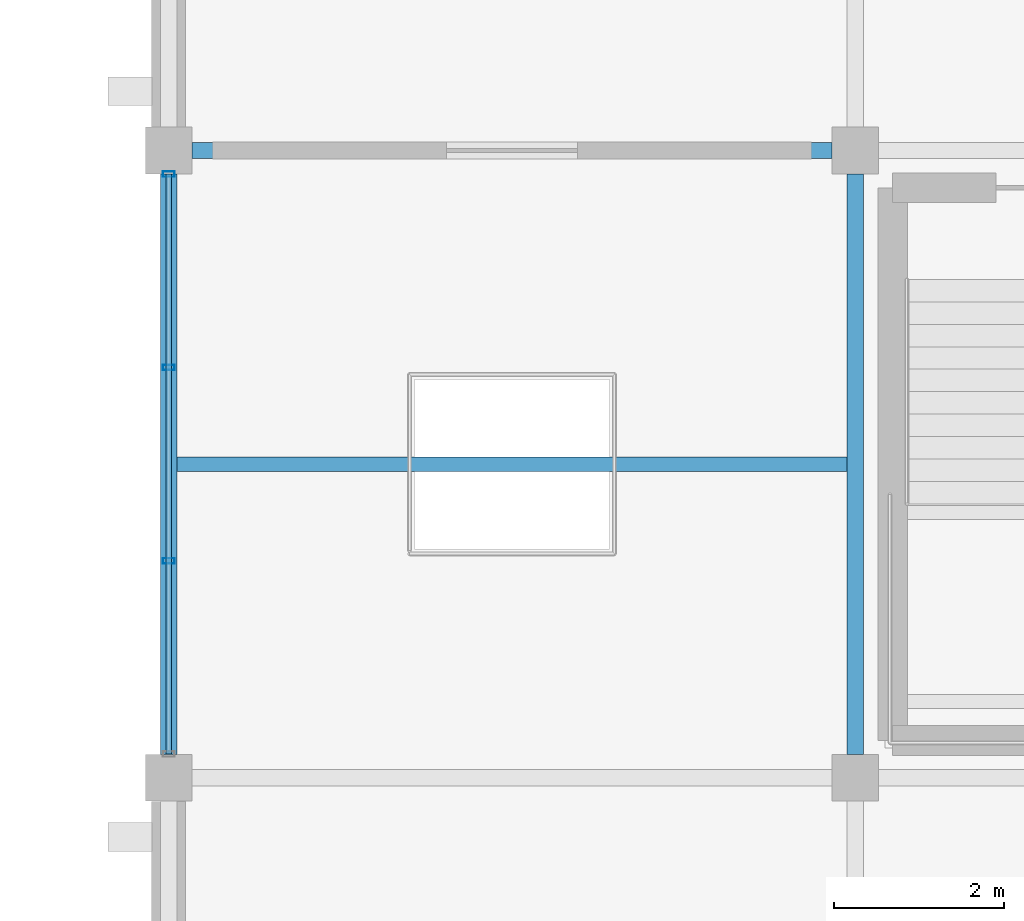
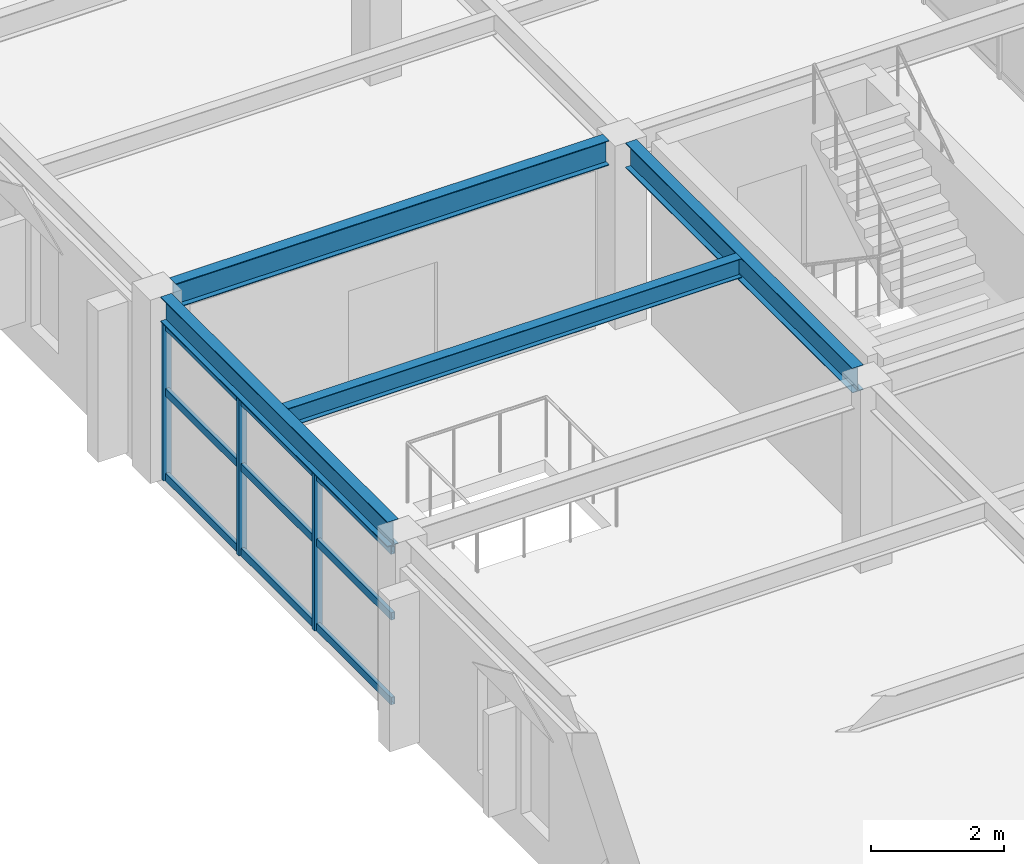
# One storey, part 19 of 93: 6 members, 4 beams, 1 element without a shape of its own.
"""IFC4 building model written with IfcOpenShell, lengths in metres."""

from ifc_helpers import new_model, si_unit, direction, frame, origin, origin_2d, place, context, subcontext, project, spatial, hollow_rectangle, i_section, extrude, material, material_profile, profile_set, type_object, element, aggregate, save


model = new_model("IFC4")

# Units and contexts
model_context = context("Model", 3, precision=1e-05, world=origin(), true_north=direction((0.0, 1.0)))
body_context = subcontext(model_context, "Body", "Model", "MODEL_VIEW")
ifc_project = project(units=[si_unit("LENGTHUNIT", "METRE"), si_unit("AREAUNIT", "SQUARE_METRE"), si_unit("VOLUMEUNIT", "CUBIC_METRE"), si_unit("PLANEANGLEUNIT", "RADIAN"), si_unit("MASSUNIT", "GRAM", prefix="KILO")], contexts=[model_context])

# Site, building, storey
site_placement = place(None, origin())
site = spatial("IfcSite", under=ifc_project, at=site_placement, CompositionType="ELEMENT")
building_placement = place(site_placement, origin())
building = spatial("IfcBuilding", under=site, at=building_placement, Name="Cimatlan Art Gallery", CompositionType="ELEMENT")
storey_placement = place(building_placement, frame((0.0, 0.0, 13.800048828125)))
storey = spatial("IfcBuildingStorey", under=building, at=storey_placement, Name="L03", CompositionType="ELEMENT", Elevation=13.800048828125)

# Beams
ifc_material_1 = material(Name="Steel ASTM A992 Grade 50", Category="steel")
ifc_material_profile_1 = material_profile(ifc_material_1, i_section(OverallWidth=0.1708984375, OverallDepth=0.35107421875, WebThickness=0.0068359375, FlangeThickness=0.009765625, at=origin_2d()), Name="W14X30")
ifc_profile_set_1 = profile_set([ifc_material_profile_1], Name="Steel ASTM A992 Grade 50")
beam_type_1 = type_object("IfcBeamType", Name="BM-STL-W14X30", PredefinedType="JOIST", material=ifc_profile_set_1)
beam_1_placement = place(storey_placement, frame((34.49560546875, 57.199951171875, 3.204345703125), z_axis=(1.0, 0.0, 0.0), x_axis=(0.0, 1.0, 0.0)))
element("IfcBeam", 1, at=beam_1_placement, inside=storey, type_object=beam_type_1, Name="JST-L03-04-07", PredefinedType="JOIST", context=body_context, shape_type="SweptSolid", body=[
    extrude(i_section(OverallWidth=0.1708984375, OverallDepth=0.35107421875, WebThickness=0.0068359375, FlangeThickness=0.009765625, at=origin_2d()), origin(), (0.0, 0.0, 1.0), 7.908935546875),
])
ifc_material_profile_2 = material_profile(ifc_material_1, i_section(OverallWidth=0.19091796875, OverallDepth=0.45703125, WebThickness=0.009033203125, FlangeThickness=0.014404296875, at=origin_2d()), Name="W18X50")
ifc_profile_set_2 = profile_set([ifc_material_profile_2], Name="Steel ASTM A992 Grade 50")
beam_type_2 = type_object("IfcBeamType", Name="BM-STL-W18X50", PredefinedType="BEAM", material=ifc_profile_set_2)
for number, where, z_axis, x_axis, name in (
    (2, (34.39990234375, 53.77490234375, 3.1513671875), (0.0, 1.0, 0.0), (-1.0, 0.0, 0.0), "BM-Y-L03-04-07"),
    (3, (42.5, 53.77490234375, 3.1513671875), (0.0, 1.0, 0.0), (-1.0, 0.0, 0.0), "BM-Y-L03-05-07"),
):
    element("IfcBeam", number, at=place(storey_placement, frame(where, z_axis=z_axis, x_axis=x_axis)), inside=storey, type_object=beam_type_2, Name=name, PredefinedType="BEAM", context=body_context, shape_type="SweptSolid", body=[
        extrude(i_section(OverallWidth=0.19091796875, OverallDepth=0.45703125, WebThickness=0.009033203125, FlangeThickness=0.014404296875, at=origin_2d()), origin(), (0.0, 0.0, 1.0), 6.85009765625),
    ])
beam_2_placement = place(storey_placement, frame((34.675048828125, 60.89990234375, 3.1513671875), z_axis=(1.0, 0.0, 0.0), x_axis=(0.0, 1.0, 0.0)))
element("IfcBeam", 4, at=beam_2_placement, inside=storey, type_object=beam_type_2, Name="BM-X-L03-04-08", PredefinedType="BEAM", context=body_context, shape_type="SweptSolid", body=[
    extrude(i_section(OverallWidth=0.19091796875, OverallDepth=0.45703125, WebThickness=0.009033203125, FlangeThickness=0.014404296875, at=origin_2d()), origin(), (0.0, 0.0, 1.0), 7.550048828125),
])

# Curtain wall, members
ifc_material_2 = material(Name="Anodised bronze unitised curtain wall")
curtain_wall_type = type_object("IfcCurtainWallType", Name="CW-V-06842X02893-B3", PredefinedType="NOTDEFINED", material=ifc_material_2)
curtain_wall_placement = place(storey_placement, origin())
curtain_wall = element("IfcCurtainWall", 5, at=curtain_wall_placement, inside=storey, type_object=curtain_wall_type, Name="CW-L03-04-07-W", PredefinedType="NOTDEFINED")
ifc_material_3 = material(Name="Anodised bronze aluminium 6063-T6", Category="aluminium")
ifc_material_profile_3 = material_profile(ifc_material_3, hollow_rectangle(XDim=0.06494140625, YDim=0.139892578125, WallThickness=0.00390625, at=origin_2d()), Name="ALU65X140X4")
ifc_profile_set_3 = profile_set([ifc_material_profile_3], Name="Anodised bronze aluminium 6063-T6")
member_type_1 = type_object("IfcMemberType", Name="CW-MUL-140", PredefinedType="MULLION", material=ifc_profile_set_3)
member_1_placement = place(storey_placement, frame((34.39990234375, 56.0595703125, 0.0), z_axis=(0.0, 0.0, 1.0), x_axis=(0.0, 1.0, 0.0)))
member_1 = element("IfcMember", 6, at=member_1_placement, type_object=member_type_1, Name="CW-L03-04-07-W-M2", PredefinedType="MULLION", context=body_context, shape_type="SweptSolid", body=[
    extrude(hollow_rectangle(XDim=0.06494140625, YDim=0.139892578125, WallThickness=0.00390625, at=origin_2d()), origin(), (0.0, 0.0, 1.0), 2.89306640625),
])
member_2_placement = place(storey_placement, frame((34.39990234375, 58.34033203125, 0.0), z_axis=(0.0, 0.0, 1.0), x_axis=(0.0, 1.0, 0.0)))
member_2 = element("IfcMember", 7, at=member_2_placement, type_object=member_type_1, Name="CW-L03-04-07-W-M3", PredefinedType="MULLION", context=body_context, shape_type="SweptSolid", body=[
    extrude(hollow_rectangle(XDim=0.06494140625, YDim=0.139892578125, WallThickness=0.00390625, at=origin_2d()), origin(), (0.0, 0.0, 1.0), 2.89306640625),
])
member_3_placement = place(storey_placement, frame((34.39990234375, 60.62109375, 0.0), z_axis=(0.0, 0.0, 1.0), x_axis=(0.0, 1.0, 0.0)))
member_3 = element("IfcMember", 8, at=member_3_placement, type_object=member_type_1, Name="CW-L03-04-07-W-M4", PredefinedType="MULLION", context=body_context, shape_type="SweptSolid", body=[
    extrude(hollow_rectangle(XDim=0.06494140625, YDim=0.139892578125, WallThickness=0.00390625, at=origin_2d()), origin(), (0.0, 0.0, 1.0), 2.89306640625),
])
ifc_material_profile_4 = material_profile(ifc_material_3, hollow_rectangle(XDim=0.06494140625, YDim=0.139892578125, WallThickness=0.00390625, at=origin_2d()), Name="ALU65X140X4")
ifc_profile_set_4 = profile_set([ifc_material_profile_4], Name="Anodised bronze aluminium 6063-T6")
member_type_2 = type_object("IfcMemberType", Name="CW-TRN-140", PredefinedType="USERDEFINED", material=ifc_profile_set_4)
member_4_placement = place(storey_placement, frame((34.39990234375, 53.779052734375, 0.06005859375), z_axis=(0.0, 1.0, 0.0), x_axis=(-1.0, 0.0, 0.0)))
member_4 = element("IfcMember", 9, at=member_4_placement, type_object=member_type_2, Name="CW-L03-04-07-W-T1", ObjectType="TRANSOM", PredefinedType="USERDEFINED", context=body_context, shape_type="SweptSolid", body=[
    extrude(hollow_rectangle(XDim=0.06494140625, YDim=0.139892578125, WallThickness=0.00390625, at=origin_2d()), origin(), (0.0, 0.0, 1.0), 6.842041015625),
])
member_5_placement = place(storey_placement, frame((34.39990234375, 53.779052734375, 1.6201171875), z_axis=(0.0, 1.0, 0.0), x_axis=(-1.0, 0.0, 0.0)))
member_5 = element("IfcMember", 10, at=member_5_placement, type_object=member_type_2, Name="CW-L03-04-07-W-T2", ObjectType="TRANSOM", PredefinedType="USERDEFINED", context=body_context, shape_type="SweptSolid", body=[
    extrude(hollow_rectangle(XDim=0.06494140625, YDim=0.139892578125, WallThickness=0.00390625, at=origin_2d()), origin(), (0.0, 0.0, 1.0), 6.842041015625),
])
member_6_placement = place(storey_placement, frame((34.39990234375, 53.779052734375, 2.8330078125), z_axis=(0.0, 1.0, 0.0), x_axis=(-1.0, 0.0, 0.0)))
member_6 = element("IfcMember", 11, at=member_6_placement, type_object=member_type_2, Name="CW-L03-04-07-W-T3", ObjectType="TRANSOM", PredefinedType="USERDEFINED", context=body_context, shape_type="SweptSolid", body=[
    extrude(hollow_rectangle(XDim=0.06494140625, YDim=0.139892578125, WallThickness=0.00390625, at=origin_2d()), origin(), (0.0, 0.0, 1.0), 6.842041015625),
])
aggregate(curtain_wall, [member_1, member_2, member_3, member_4, member_5, member_6])

save(model, "model.ifc")
